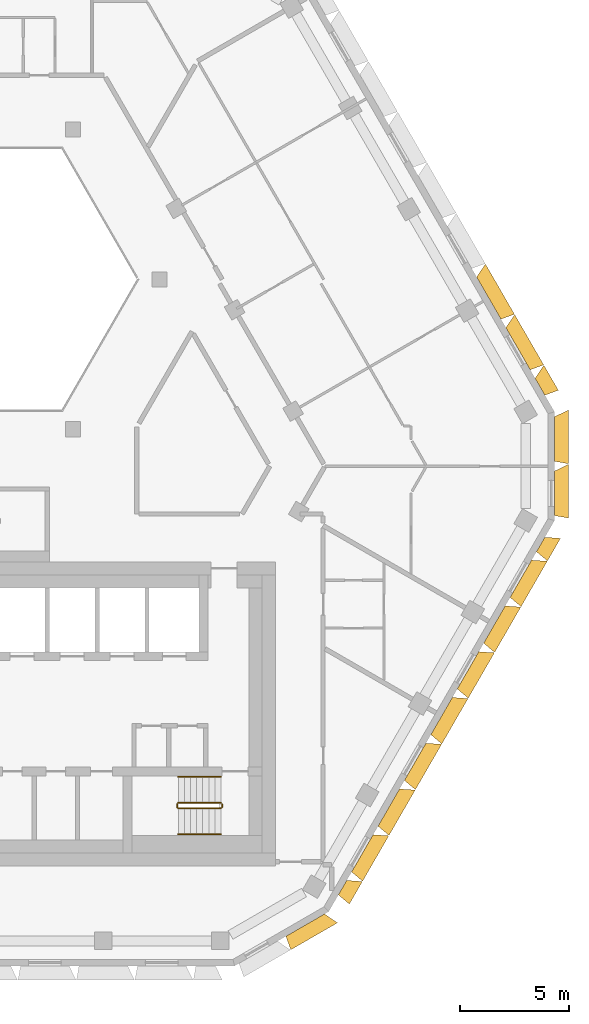
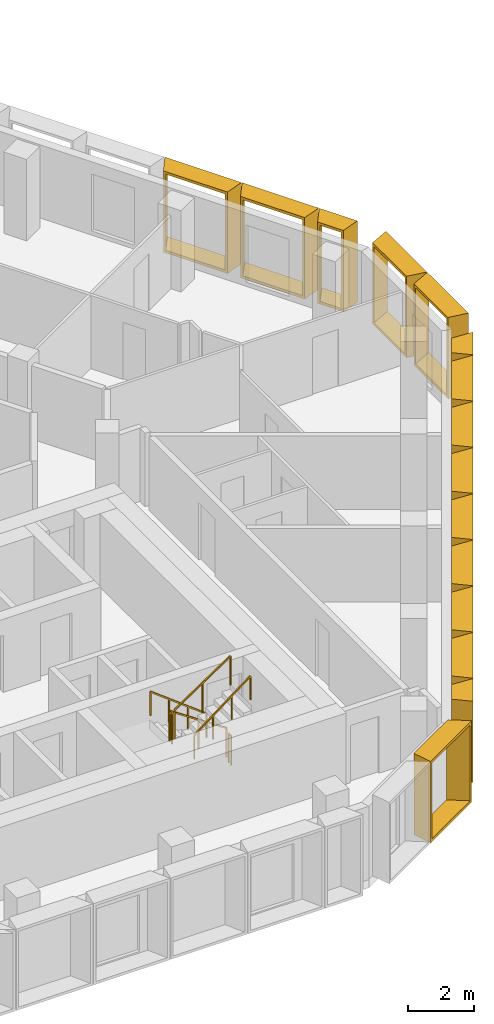
# One storey, part 14 of 15: 15 shading devices, 6 railings.
"""IFC4 building model written with IfcOpenShell, lengths in metres."""

from ifc_helpers import new_model, entity, si_unit, direction, frame, origin, origin_2d, place, context, subcontext, project, spatial, rectangle, extrude, source, transform, mapped, material, type_object, type_shapes, element, save


model = new_model("IFC4")

# Units and contexts
model_context = context("Model", 3, precision=1e-05, world=origin(), true_north=direction((0.0, 1.0)))
body_context = subcontext(model_context, "Body", "Model", "MODEL_VIEW")
ifc_project = project(units=[si_unit("LENGTHUNIT", "METRE"), si_unit("AREAUNIT", "SQUARE_METRE"), si_unit("VOLUMEUNIT", "CUBIC_METRE"), si_unit("PLANEANGLEUNIT", "RADIAN"), si_unit("MASSUNIT", "GRAM", prefix="KILO")], contexts=[model_context])

# Site, building, storey
site_placement = place(None, origin())
site = spatial("IfcSite", under=ifc_project, at=site_placement, CompositionType="ELEMENT")
building_placement = place(site_placement, origin())
building = spatial("IfcBuilding", under=site, at=building_placement, Name="Beryl Residences", CompositionType="ELEMENT")
storey_placement = place(building_placement, frame((0.0, 0.0, 169.199951171875)))
storey = spatial("IfcBuildingStorey", under=building, at=storey_placement, Name="L51", CompositionType="ELEMENT", Elevation=169.199951171875)

# Shading devices
ifc_material_1 = material(Name="Aluminium pale anodised", Category="aluminium")
shading_device_type_1 = type_object("IfcShadingDeviceType", Name="FR122-65C OUTER SKIN frame 650 mm deep, splay 10/26 deg, 1220 x 3000 mm cell", PredefinedType="USERDEFINED", material=ifc_material_1)
cartesian_point_1 = entity("IfcCartesianPoint", [-0.384033203125, 0.0])
cartesian_point_2 = entity("IfcCartesianPoint", [-0.302734375, 0.10009765625])
cartesian_point_3 = entity("IfcCartesianPoint", [-0.49853515625, 0.0])
cartesian_point_4 = entity("IfcCartesianPoint", [-0.41748046875, 0.10009765625])
shared_shape_1 = source(origin(), body_context, "Body", "SweptSolid", [
    entity("IfcExtrudedAreaSolidTapered", entity("IfcArbitraryProfileDefWithVoids", "AREA", None, entity("IfcPolyline", [cartesian_point_1, entity("IfcCartesianPoint", [0.384033203125, 0.0]), entity("IfcCartesianPoint", [0.384033203125, 3.0]), entity("IfcCartesianPoint", [-0.384033203125, 3.0]), cartesian_point_1]), [entity("IfcPolyline", [cartesian_point_2, entity("IfcCartesianPoint", [0.294921875, 0.10009765625]), entity("IfcCartesianPoint", [0.294921875, 2.89990234375]), entity("IfcCartesianPoint", [-0.302734375, 2.89990234375]), cartesian_point_2])]), entity("IfcAxis2Placement3D", entity("IfcCartesianPoint", [0.0, 0.0, 0.0]), entity("IfcDirection", [0.0, 1.0, 0.0]), entity("IfcDirection", [-1.0, 0.0, 0.0])), entity("IfcDirection", [0.0, 0.0, 1.0]), 0.64990234375, entity("IfcArbitraryProfileDefWithVoids", "AREA", None, entity("IfcPolyline", [cartesian_point_3, entity("IfcCartesianPoint", [0.700927734375, 0.0]), entity("IfcCartesianPoint", [0.700927734375, 3.0]), entity("IfcCartesianPoint", [-0.49853515625, 3.0]), cartesian_point_3]), [entity("IfcPolyline", [cartesian_point_4, entity("IfcCartesianPoint", [0.612060546875, 0.10009765625]), entity("IfcCartesianPoint", [0.612060546875, 2.89990234375]), entity("IfcCartesianPoint", [-0.41748046875, 2.89990234375]), cartesian_point_4])])),
])
type_shapes(shading_device_type_1, [shared_shape_1])
for number, where, z_axis, x_axis, name in (
    (1, (16.39697265625, -19.9990234375, 0.0), (0.0, 0.0, 1.0), (-0.5, -0.866025403784, 0.0), "FR122-65C frame L51 SE 1"),
    (2, (25.51611328125, -4.202880859375, 0.0), (0.0, 0.0, 1.0), (-0.5, -0.866025403784, 0.0), "FR122-65C frame L51 SE 9"),
):
    element("IfcShadingDevice", number, at=place(storey_placement, frame(where, z_axis=z_axis, x_axis=x_axis)), inside=storey, type_object=shading_device_type_1, Name=name, ObjectType="OUTER SKIN", PredefinedType="USERDEFINED", context=body_context, shape_type="MappedRepresentation", body=[
        mapped(shared_shape_1, transform((0.0, 0.0, 0.0))),
    ])
ifc_material_2 = material(Name="Aluminium pale anodised", Category="aluminium")
shading_device_type_2 = type_object("IfcShadingDeviceType", Name="FR135-65C OUTER SKIN frame 650 mm deep, splay 10/26 deg, 1350 x 3000 mm cell", PredefinedType="USERDEFINED", material=ifc_material_2)
cartesian_point_5 = entity("IfcCartesianPoint", [-0.448974609375, 0.0])
cartesian_point_6 = entity("IfcCartesianPoint", [-0.36767578125, 0.10009765625])
cartesian_point_7 = entity("IfcCartesianPoint", [-0.563720703125, 0.0])
cartesian_point_8 = entity("IfcCartesianPoint", [-0.482421875, 0.10009765625])
shared_shape_2 = source(origin(), body_context, "Body", "SweptSolid", [
    entity("IfcExtrudedAreaSolidTapered", entity("IfcArbitraryProfileDefWithVoids", "AREA", None, entity("IfcPolyline", [cartesian_point_5, entity("IfcCartesianPoint", [0.448974609375, 0.0]), entity("IfcCartesianPoint", [0.448974609375, 3.0]), entity("IfcCartesianPoint", [-0.448974609375, 3.0]), cartesian_point_5]), [entity("IfcPolyline", [cartesian_point_6, entity("IfcCartesianPoint", [0.360107421875, 0.10009765625]), entity("IfcCartesianPoint", [0.360107421875, 2.89990234375]), entity("IfcCartesianPoint", [-0.36767578125, 2.89990234375]), cartesian_point_6])]), entity("IfcAxis2Placement3D", entity("IfcCartesianPoint", [0.0, 0.0, 0.0]), entity("IfcDirection", [0.0, 1.0, 0.0]), entity("IfcDirection", [-1.0, 0.0, 0.0])), entity("IfcDirection", [0.0, 0.0, 1.0]), 0.64990234375, entity("IfcArbitraryProfileDefWithVoids", "AREA", None, entity("IfcPolyline", [cartesian_point_7, entity("IfcCartesianPoint", [0.76611328125, 0.0]), entity("IfcCartesianPoint", [0.76611328125, 3.0]), entity("IfcCartesianPoint", [-0.563720703125, 3.0]), cartesian_point_7]), [entity("IfcPolyline", [cartesian_point_8, entity("IfcCartesianPoint", [0.677001953125, 0.10009765625]), entity("IfcCartesianPoint", [0.677001953125, 2.89990234375]), entity("IfcCartesianPoint", [-0.482421875, 2.89990234375]), cartesian_point_8])])),
])
type_shapes(shading_device_type_2, [shared_shape_2])
shading_device_placement = place(storey_placement, frame((25.485107421875, 3.056884765625, 0.0), z_axis=(0.0, 0.0, 1.0), x_axis=(0.5, -0.866025403784, 0.0)))
element("IfcShadingDevice", 3, at=shading_device_placement, inside=storey, type_object=shading_device_type_2, Name="FR135-65C frame L51 NE 1", ObjectType="OUTER SKIN", PredefinedType="USERDEFINED", context=body_context, shape_type="MappedRepresentation", body=[
    mapped(shared_shape_2, transform((0.0, 0.0, 0.0))),
])
ifc_material_3 = material(Name="Aluminium pale anodised", Category="aluminium")
shading_device_type_3 = type_object("IfcShadingDeviceType", Name="FR243-65C OUTER SKIN frame 650 mm deep, splay 10/26 deg, 2430 x 3000 mm cell", PredefinedType="USERDEFINED", material=ifc_material_3)
cartesian_point_9 = entity("IfcCartesianPoint", [-0.989013671875, 0.0])
cartesian_point_10 = entity("IfcCartesianPoint", [-0.90771484375, 0.10009765625])
cartesian_point_11 = entity("IfcCartesianPoint", [-1.103515625, 0.0])
cartesian_point_12 = entity("IfcCartesianPoint", [-1.0224609375, 0.10009765625])
shared_shape_3 = source(origin(), body_context, "Body", "SweptSolid", [
    entity("IfcExtrudedAreaSolidTapered", entity("IfcArbitraryProfileDefWithVoids", "AREA", None, entity("IfcPolyline", [cartesian_point_9, entity("IfcCartesianPoint", [0.989013671875, 0.0]), entity("IfcCartesianPoint", [0.989013671875, 3.0]), entity("IfcCartesianPoint", [-0.989013671875, 3.0]), cartesian_point_9]), [entity("IfcPolyline", [cartesian_point_10, entity("IfcCartesianPoint", [0.89990234375, 0.10009765625]), entity("IfcCartesianPoint", [0.89990234375, 2.89990234375]), entity("IfcCartesianPoint", [-0.90771484375, 2.89990234375]), cartesian_point_10])]), entity("IfcAxis2Placement3D", entity("IfcCartesianPoint", [0.0, 0.0, 0.0]), entity("IfcDirection", [0.0, 1.0, 0.0]), entity("IfcDirection", [-1.0, 0.0, 0.0])), entity("IfcDirection", [0.0, 0.0, 1.0]), 0.64990234375, entity("IfcArbitraryProfileDefWithVoids", "AREA", None, entity("IfcPolyline", [cartesian_point_11, entity("IfcCartesianPoint", [1.305908203125, 0.0]), entity("IfcCartesianPoint", [1.305908203125, 3.0]), entity("IfcCartesianPoint", [-1.103515625, 3.0]), cartesian_point_11]), [entity("IfcPolyline", [cartesian_point_12, entity("IfcCartesianPoint", [1.217041015625, 0.10009765625]), entity("IfcCartesianPoint", [1.217041015625, 2.89990234375]), entity("IfcCartesianPoint", [-1.0224609375, 2.89990234375]), cartesian_point_12])])),
])
type_shapes(shading_device_type_3, [shared_shape_3])
for number, where, z_axis, x_axis, name in (
    (4, (17.30908203125, -18.4189453125, 0.0), (0.0, 0.0, 1.0), (-0.5, -0.866025403784, 0.0), "FR243-65C frame L51 SE 2"),
    (5, (18.52490234375, -16.31298828125, 0.0), (0.0, 0.0, 1.0), (-0.5, -0.866025403784, 0.0), "FR243-65C frame L51 SE 3"),
    (6, (19.740966796875, -14.20703125, 0.0), (0.0, 0.0, 1.0), (-0.5, -0.866025403784, 0.0), "FR243-65C frame L51 SE 4"),
    (7, (20.95703125, -12.10107421875, 0.0), (0.0, 0.0, 1.0), (-0.5, -0.866025403784, 0.0), "FR243-65C frame L51 SE 5"),
    (8, (22.172119140625, -9.9951171875, 0.0), (0.0, 0.0, 1.0), (-0.5, -0.866025403784, 0.0), "FR243-65C frame L51 SE 6"),
    (9, (23.387939453125, -7.888916015625, 0.0), (0.0, 0.0, 1.0), (-0.5, -0.866025403784, 0.0), "FR243-65C frame L51 SE 7"),
    (10, (24.60400390625, -5.781982421875, 0.0), (0.0, 0.0, 1.0), (-0.5, -0.866025403784, 0.0), "FR243-65C frame L51 SE 8"),
):
    element("IfcShadingDevice", number, at=place(storey_placement, frame(where, z_axis=z_axis, x_axis=x_axis)), inside=storey, type_object=shading_device_type_3, Name=name, ObjectType="OUTER SKIN", PredefinedType="USERDEFINED", context=body_context, shape_type="MappedRepresentation", body=[
        mapped(shared_shape_3, transform((0.0, 0.0, 0.0))),
    ])
ifc_material_4 = material(Name="Aluminium pale anodised", Category="aluminium")
shading_device_type_4 = type_object("IfcShadingDeviceType", Name="FR250-65C OUTER SKIN frame 650 mm deep, splay 10/26 deg, 2500 x 3000 mm cell", PredefinedType="USERDEFINED", material=ifc_material_4)
cartesian_point_13 = entity("IfcCartesianPoint", [-1.02392578125, 0.0])
cartesian_point_14 = entity("IfcCartesianPoint", [-0.94287109375, 0.10009765625])
cartesian_point_15 = entity("IfcCartesianPoint", [-1.138671875, 0.0])
cartesian_point_16 = entity("IfcCartesianPoint", [-1.057373046875, 0.10009765625])
shared_shape_4 = source(origin(), body_context, "Body", "SweptSolid", [
    entity("IfcExtrudedAreaSolidTapered", entity("IfcArbitraryProfileDefWithVoids", "AREA", None, entity("IfcPolyline", [cartesian_point_13, entity("IfcCartesianPoint", [1.02392578125, 0.0]), entity("IfcCartesianPoint", [1.02392578125, 3.0]), entity("IfcCartesianPoint", [-1.02392578125, 3.0]), cartesian_point_13]), [entity("IfcPolyline", [cartesian_point_14, entity("IfcCartesianPoint", [0.93505859375, 0.10009765625]), entity("IfcCartesianPoint", [0.93505859375, 2.89990234375]), entity("IfcCartesianPoint", [-0.94287109375, 2.89990234375]), cartesian_point_14])]), entity("IfcAxis2Placement3D", entity("IfcCartesianPoint", [0.0, 0.0, 0.0]), entity("IfcDirection", [0.0, 1.0, 0.0]), entity("IfcDirection", [-1.0, 0.0, 0.0])), entity("IfcDirection", [0.0, 0.0, 1.0]), 0.64990234375, entity("IfcArbitraryProfileDefWithVoids", "AREA", None, entity("IfcPolyline", [cartesian_point_15, entity("IfcCartesianPoint", [1.341064453125, 0.0]), entity("IfcCartesianPoint", [1.341064453125, 3.0]), entity("IfcCartesianPoint", [-1.138671875, 3.0]), cartesian_point_15]), [entity("IfcPolyline", [cartesian_point_16, entity("IfcCartesianPoint", [1.251953125, 0.10009765625]), entity("IfcCartesianPoint", [1.251953125, 2.89990234375]), entity("IfcCartesianPoint", [-1.057373046875, 2.89990234375]), cartesian_point_16])])),
])
type_shapes(shading_device_type_4, [shared_shape_4])
for number, where, z_axis, x_axis, name in (
    (11, (14.677978515625, -21.72509765625, 0.0), (0.0, 0.0, 1.0), (-0.866025403784, -0.5, 0.0), "FR250-65C frame L51 S-SE 2"),
    (12, (26.154052734375, -1.85009765625, 0.0), (0.0, 0.0, 1.0), (0.0, -1.0, 0.0), "FR250-65C frame L51 SE-NE 1"),
    (13, (26.154052734375, 0.64990234375, 0.0), (0.0, 0.0, 1.0), (0.0, -1.0, 0.0), "FR250-65C frame L51 SE-NE 2"),
):
    element("IfcShadingDevice", number, at=place(storey_placement, frame(where, z_axis=z_axis, x_axis=x_axis)), inside=storey, type_object=shading_device_type_4, Name=name, ObjectType="OUTER SKIN", PredefinedType="USERDEFINED", context=body_context, shape_type="MappedRepresentation", body=[
        mapped(shared_shape_4, transform((0.0, 0.0, 0.0))),
    ])
ifc_material_5 = material(Name="Aluminium pale anodised", Category="aluminium")
shading_device_type_5 = type_object("IfcShadingDeviceType", Name="FR269-65C OUTER SKIN frame 650 mm deep, splay 10/26 deg, 2690 x 3000 mm cell", PredefinedType="USERDEFINED", material=ifc_material_5)
cartesian_point_17 = entity("IfcCartesianPoint", [-1.118896484375, 0.0])
cartesian_point_18 = entity("IfcCartesianPoint", [-1.037841796875, 0.10009765625])
cartesian_point_19 = entity("IfcCartesianPoint", [-1.233642578125, 0.0])
cartesian_point_20 = entity("IfcCartesianPoint", [-1.15234375, 0.10009765625])
shared_shape_5 = source(origin(), body_context, "Body", "SweptSolid", [
    entity("IfcExtrudedAreaSolidTapered", entity("IfcArbitraryProfileDefWithVoids", "AREA", None, entity("IfcPolyline", [cartesian_point_17, entity("IfcCartesianPoint", [1.118896484375, 0.0]), entity("IfcCartesianPoint", [1.118896484375, 3.0]), entity("IfcCartesianPoint", [-1.118896484375, 3.0]), cartesian_point_17]), [entity("IfcPolyline", [cartesian_point_18, entity("IfcCartesianPoint", [1.030029296875, 0.10009765625]), entity("IfcCartesianPoint", [1.030029296875, 2.89990234375]), entity("IfcCartesianPoint", [-1.037841796875, 2.89990234375]), cartesian_point_18])]), entity("IfcAxis2Placement3D", entity("IfcCartesianPoint", [0.0, 0.0, 0.0]), entity("IfcDirection", [0.0, 1.0, 0.0]), entity("IfcDirection", [-1.0, 0.0, 0.0])), entity("IfcDirection", [0.0, 0.0, 1.0]), 0.64990234375, entity("IfcArbitraryProfileDefWithVoids", "AREA", None, entity("IfcPolyline", [cartesian_point_19, entity("IfcCartesianPoint", [1.43603515625, 0.0]), entity("IfcCartesianPoint", [1.43603515625, 3.0]), entity("IfcCartesianPoint", [-1.233642578125, 3.0]), cartesian_point_19]), [entity("IfcPolyline", [cartesian_point_20, entity("IfcCartesianPoint", [1.346923828125, 0.10009765625]), entity("IfcCartesianPoint", [1.346923828125, 2.89990234375]), entity("IfcCartesianPoint", [-1.15234375, 2.89990234375]), cartesian_point_20])])),
])
type_shapes(shading_device_type_5, [shared_shape_5])
for number, where, z_axis, x_axis, name in (
    (14, (24.47607421875, 4.805908203125, 0.0), (0.0, 0.0, 1.0), (0.5, -0.866025403784, 0.0), "FR269-65C frame L51 NE 2"),
    (15, (23.1298828125, 7.136962890625, 0.0), (0.0, 0.0, 1.0), (0.5, -0.866025403784, 0.0), "FR269-65C frame L51 NE 3"),
):
    element("IfcShadingDevice", number, at=place(storey_placement, frame(where, z_axis=z_axis, x_axis=x_axis)), inside=storey, type_object=shading_device_type_5, Name=name, ObjectType="OUTER SKIN", PredefinedType="USERDEFINED", context=body_context, shape_type="MappedRepresentation", body=[
        mapped(shared_shape_5, transform((0.0, 0.0, 0.0))),
    ])

# Railings
ifc_material_6 = material(Name="Stainless steel balustrade with glass infill", Category="steel")
railing_type_1 = type_object("IfcRailingType", Name="SG1 stair guard 1100 mm", PredefinedType="GUARDRAIL", material=ifc_material_6)
railing_1_placement = place(storey_placement, frame((10.800048828125, -16.10009765625, 0.1875)))
element("IfcRailing", 16, at=railing_1_placement, inside=storey, type_object=railing_type_1, Name="L51 ST-3 stair guard 1", PredefinedType="GUARDRAIL", context=body_context, shape_type="SweptSolid", body=[
    extrude(rectangle(XDim=0.048095703125, YDim=0.048095703125, at=origin_2d()), frame((0.0, 0.0, 1.076171875), z_axis=(-0.830902050051, 0.0, 0.556418712142), x_axis=(0.0, -1.0, 0.0)), (0.0, 0.0, 1.0), 2.35888671875),
    extrude(rectangle(XDim=0.0419921875, YDim=0.0419921875, at=origin_2d()), origin(), (0.0, 0.0, 1.0), 1.052001953125),
    extrude(rectangle(XDim=0.0419921875, YDim=0.0419921875, at=origin_2d()), frame((-0.97998046875, 0.0, 0.65625)), (0.0, 0.0, 1.0), 1.052001953125),
    extrude(rectangle(XDim=0.0419921875, YDim=0.0419921875, at=origin_2d()), frame((-1.9599609375, 0.0, 1.3125)), (0.0, 0.0, 1.0), 1.052001953125),
])
railing_2_placement = place(storey_placement, frame((8.7900390625, -16.14990234375, 1.5)))
element("IfcRailing", 17, at=railing_2_placement, inside=storey, type_object=railing_type_1, Name="L51 ST-3 stair guard 2", PredefinedType="GUARDRAIL", context=body_context, shape_type="SweptSolid", body=[
    extrude(rectangle(XDim=0.048095703125, YDim=0.048095703125, at=origin_2d()), frame((0.0, 0.0, 1.076171875), z_axis=(0.0, -1.0, 0.0), x_axis=(1.0, 0.0, 0.0)), (0.0, 0.0, 1.0), 0.150146484375),
    extrude(rectangle(XDim=0.0419921875, YDim=0.0419921875, at=origin_2d()), origin(), (0.0, 0.0, 1.0), 1.052001953125),
    extrude(rectangle(XDim=0.0419921875, YDim=0.0419921875, at=origin_2d()), frame((0.0, -0.150146484375, 0.0)), (0.0, 0.0, 1.0), 1.052001953125),
])
railing_3_placement = place(storey_placement, frame((8.840087890625, -16.35009765625, 1.6875)))
element("IfcRailing", 18, at=railing_3_placement, inside=storey, type_object=railing_type_1, Name="L51 ST-3 stair guard 3", PredefinedType="GUARDRAIL", context=body_context, shape_type="SweptSolid", body=[
    extrude(rectangle(XDim=0.048095703125, YDim=0.048095703125, at=origin_2d()), frame((0.0, 0.0, 1.076171875), z_axis=(0.830902050051, 0.0, 0.556418712142), x_axis=(0.0, 1.0, 0.0)), (0.0, 0.0, 1.0), 2.35888671875),
    extrude(rectangle(XDim=0.0419921875, YDim=0.0419921875, at=origin_2d()), origin(), (0.0, 0.0, 1.0), 1.052001953125),
    extrude(rectangle(XDim=0.0419921875, YDim=0.0419921875, at=origin_2d()), frame((0.97998046875, 0.0, 0.65625)), (0.0, 0.0, 1.0), 1.052001953125),
    extrude(rectangle(XDim=0.0419921875, YDim=0.0419921875, at=origin_2d()), frame((1.9599609375, 0.0, 1.3125)), (0.0, 0.0, 1.0), 1.052001953125),
])
railing_4_placement = place(storey_placement, frame((10.85009765625, -16.14990234375, 0.0)))
element("IfcRailing", 19, at=railing_4_placement, inside=storey, type_object=railing_type_1, Name="L51 ST-3 stair guard 4", PredefinedType="GUARDRAIL", context=body_context, shape_type="SweptSolid", body=[
    extrude(rectangle(XDim=0.048095703125, YDim=0.048095703125, at=origin_2d()), frame((0.0, 0.0, 1.076171875), z_axis=(0.0, -1.0, 0.0), x_axis=(1.0, 0.0, 0.0)), (0.0, 0.0, 1.0), 0.150146484375),
    extrude(rectangle(XDim=0.0419921875, YDim=0.0419921875, at=origin_2d()), origin(), (0.0, 0.0, 1.0), 1.052001953125),
    extrude(rectangle(XDim=0.0419921875, YDim=0.0419921875, at=origin_2d()), frame((0.0, -0.150146484375, 0.0)), (0.0, 0.0, 1.0), 1.052001953125),
])
ifc_material_7 = material(Name="Stainless steel handrail", Category="steel")
railing_type_2 = type_object("IfcRailingType", Name="SRL1 stair handrail 900 mm", PredefinedType="HANDRAIL", material=ifc_material_7)
railing_5_placement = place(storey_placement, frame((10.800048828125, -14.89990234375, 0.1875)))
element("IfcRailing", 20, at=railing_5_placement, inside=storey, type_object=railing_type_2, Name="L51 ST-3 stair handrail 1", PredefinedType="HANDRAIL", context=body_context, shape_type="SweptSolid", body=[
    extrude(rectangle(XDim=0.048095703125, YDim=0.048095703125, at=origin_2d()), frame((0.0, 0.0, 0.8759765625), z_axis=(-0.794121922505, 0.0, 0.607758481798), x_axis=(0.0, -1.0, 0.0)), (0.0, 0.0, 1.0), 2.468017578125),
    extrude(rectangle(XDim=0.0419921875, YDim=0.0419921875, at=origin_2d()), origin(), (0.0, 0.0, 1.0), 0.851806640625),
    extrude(rectangle(XDim=0.0419921875, YDim=0.0419921875, at=origin_2d()), frame((-0.6533203125, 0.0, 0.5)), (0.0, 0.0, 1.0), 0.851806640625),
    extrude(rectangle(XDim=0.0419921875, YDim=0.0419921875, at=origin_2d()), frame((-1.306640625, 0.0, 1.0)), (0.0, 0.0, 1.0), 0.851806640625),
    extrude(rectangle(XDim=0.0419921875, YDim=0.0419921875, at=origin_2d()), frame((-1.9599609375, 0.0, 1.5)), (0.0, 0.0, 1.0), 0.851806640625),
])
railing_6_placement = place(storey_placement, frame((8.840087890625, -17.550048828125, 1.6875)))
element("IfcRailing", 21, at=railing_6_placement, inside=storey, type_object=railing_type_2, Name="L51 ST-3 stair handrail 2", PredefinedType="HANDRAIL", context=body_context, shape_type="SweptSolid", body=[
    extrude(rectangle(XDim=0.048095703125, YDim=0.048095703125, at=origin_2d()), frame((0.0, 0.0, 0.8759765625), z_axis=(0.794121922505, 0.0, 0.607758481798), x_axis=(0.0, 1.0, 0.0)), (0.0, 0.0, 1.0), 2.468017578125),
    extrude(rectangle(XDim=0.0419921875, YDim=0.0419921875, at=origin_2d()), origin(), (0.0, 0.0, 1.0), 0.851806640625),
    extrude(rectangle(XDim=0.0419921875, YDim=0.0419921875, at=origin_2d()), frame((0.6533203125, 0.0, 0.5)), (0.0, 0.0, 1.0), 0.851806640625),
    extrude(rectangle(XDim=0.0419921875, YDim=0.0419921875, at=origin_2d()), frame((1.306640625, 0.0, 1.0)), (0.0, 0.0, 1.0), 0.851806640625),
    extrude(rectangle(XDim=0.0419921875, YDim=0.0419921875, at=origin_2d()), frame((1.9599609375, 0.0, 1.5)), (0.0, 0.0, 1.0), 0.851806640625),
])

save(model, "model.ifc")
